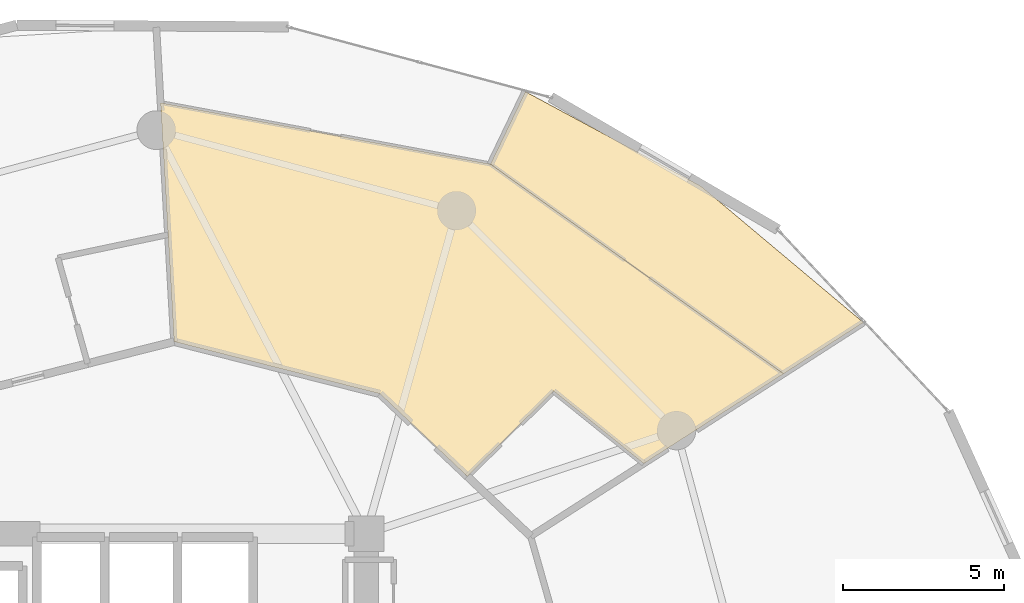
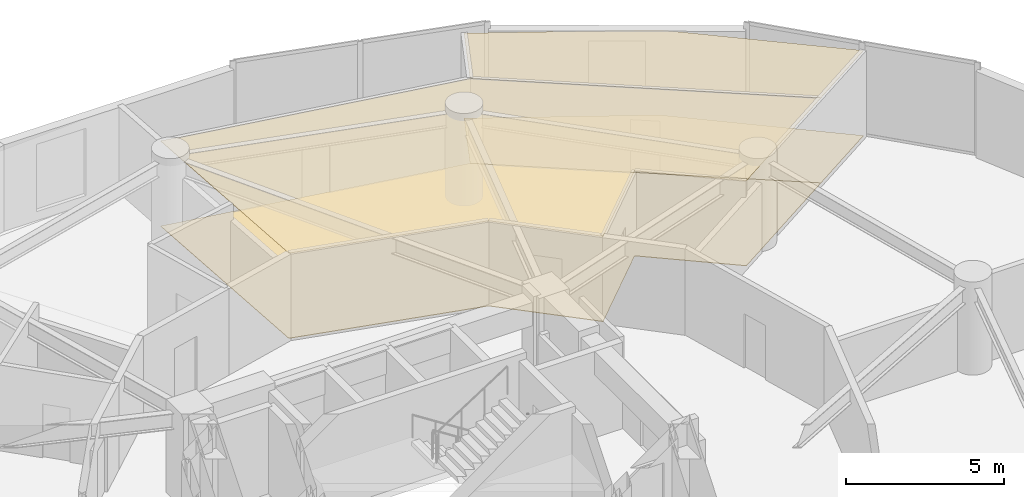
# One storey, part 23 of 23: 4 coverings.
"""IFC4 building model written with IfcOpenShell, lengths in metres."""

from ifc_helpers import new_model, si_unit, direction, frame, origin, place, context, subcontext, project, spatial, polyline, outline, extrude, material, layer, layer_set, type_object, element, save


model = new_model("IFC4")

# Units and contexts
model_context = context("Model", 3, precision=1e-05, world=origin(), true_north=direction((0.0, 1.0)))
body_context = subcontext(model_context, "Body", "Model", "MODEL_VIEW")
ifc_project = project(units=[si_unit("LENGTHUNIT", "METRE"), si_unit("AREAUNIT", "SQUARE_METRE"), si_unit("VOLUMEUNIT", "CUBIC_METRE"), si_unit("PLANEANGLEUNIT", "RADIAN"), si_unit("MASSUNIT", "GRAM", prefix="KILO")], contexts=[model_context])

# Site, building, storey
site_placement = place(None, origin())
site = spatial("IfcSite", under=ifc_project, at=site_placement, CompositionType="ELEMENT")
building_placement = place(site_placement, origin())
building = spatial("IfcBuilding", under=site, at=building_placement, Name="Solvirekh Grand Hotel", CompositionType="ELEMENT")
storey_placement = place(building_placement, frame((0.0, 0.0, 39.199951171875)))
storey = spatial("IfcBuildingStorey", under=building, at=storey_placement, Name="L08", CompositionType="ELEMENT", Elevation=39.199951171875)

# Coverings
ifc_material_1 = material(Name="Acoustic Mineral Ceiling Tile")
ifc_layer_1 = layer(ifc_material_1, 0.02490234375)
ifc_layer_set_1 = layer_set([ifc_layer_1], Name="Acoustic Mineral Ceiling Tile")
covering_type_1 = type_object("IfcCoveringType", Name="Cov_Ceiling_Acoustic", PredefinedType="CEILING", material=ifc_layer_set_1)
covering_1_placement = place(storey_placement, frame((0.0, 0.0, 3.2900390625)))
element("IfcCovering", 1, at=covering_1_placement, inside=storey, type_object=covering_type_1, Name="L08 Executive Suite 1001 Living Room acoustic ceiling", PredefinedType="CEILING", context=body_context, shape_type="SweptSolid", body=[
    extrude(outline(polyline([(12.306884765625, 10.51904296875), (15.095947265625, 8.27490234375), (19.425048828125, 11.054931640625), (10.346923828125, 17.547119140625), (0.132080078125, 19.448974609375), (0.550048828125, 12.050048828125), (6.925048828125, 10.43603515625), (9.632080078125, 7.8779296875), (12.306884765625, 10.51904296875)])), origin(), (0.0, 0.0, 1.0), 0.01806640625),
])
covering_2_placement = place(storey_placement, frame((0.0, 0.0, 3.2900390625)))
element("IfcCovering", 2, at=covering_2_placement, inside=storey, type_object=covering_type_1, Name="L08 Executive Suite 1001 Master Bedroom acoustic ceiling", PredefinedType="CEILING", context=body_context, shape_type="SweptSolid", body=[
    extrude(outline(polyline([(21.89794921875, 12.64306640625), (16.865966796875, 16.865966796875), (11.427001953125, 19.79296875), (10.346923828125, 17.547119140625), (19.425048828125, 11.054931640625), (21.89794921875, 12.64306640625)])), origin(), (0.0, 0.0, 1.0), 0.01806640625),
])
ifc_material_2 = material(Name="Porcelain Stoneware Flooring", Category="masonry")
ifc_layer_2 = layer(ifc_material_2, 0.030029296875)
ifc_layer_set_2 = layer_set([ifc_layer_2], Name="Porcelain Stoneware Flooring")
covering_type_2 = type_object("IfcCoveringType", Name="Cov_Floor_Stone", PredefinedType="FLOORING", material=ifc_layer_set_2)
covering_3_placement = place(storey_placement, origin())
element("IfcCovering", 3, at=covering_3_placement, inside=storey, type_object=covering_type_2, Name="L08 Executive Suite 1001 Living Room polished granite flooring", PredefinedType="FLOORING", context=body_context, shape_type="SweptSolid", body=[
    extrude(outline(polyline([(12.306884765625, 10.51904296875), (15.095947265625, 8.27490234375), (19.425048828125, 11.054931640625), (10.346923828125, 17.547119140625), (0.132080078125, 19.448974609375), (0.550048828125, 12.050048828125), (6.925048828125, 10.43603515625), (9.632080078125, 7.8779296875), (12.306884765625, 10.51904296875)])), origin(), (0.0, 0.0, 1.0), 0.02001953125),
])
covering_4_placement = place(storey_placement, origin())
element("IfcCovering", 4, at=covering_4_placement, inside=storey, type_object=covering_type_2, Name="L08 Executive Suite 1001 Master Bedroom polished granite flooring", PredefinedType="FLOORING", context=body_context, shape_type="SweptSolid", body=[
    extrude(outline(polyline([(21.89794921875, 12.64306640625), (16.865966796875, 16.865966796875), (11.427001953125, 19.79296875), (10.346923828125, 17.547119140625), (19.425048828125, 11.054931640625), (21.89794921875, 12.64306640625)])), origin(), (0.0, 0.0, 1.0), 0.02001953125),
])

save(model, "model.ifc")
